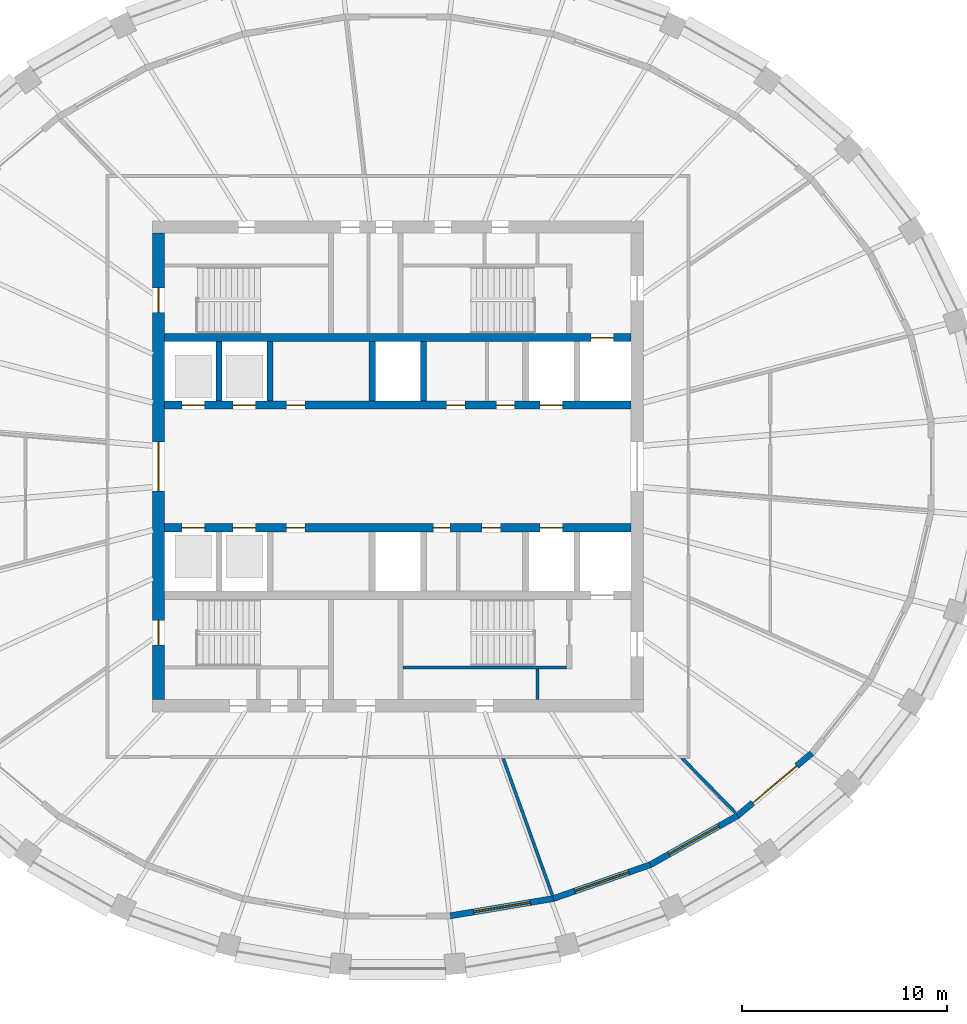
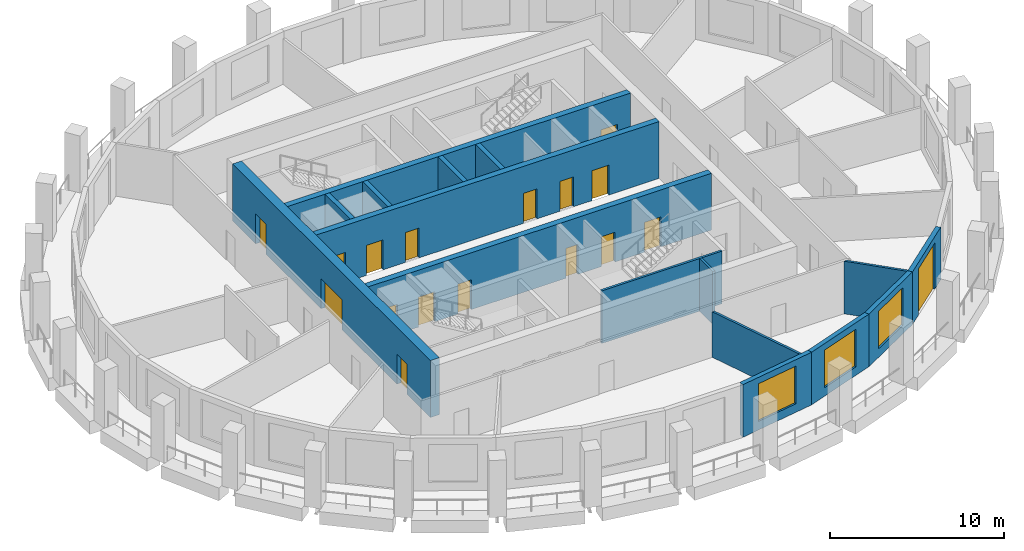
# One storey, part 4 of 10: 17 doors, 16 walls, 3 windows, 20 openings.
"""IFC4 building model written with IfcOpenShell, lengths in metres."""

from ifc_helpers import new_model, si_unit, direction, frame, frame_2d, origin, place, context, subcontext, project, spatial, polyline, rectangle, outline, extrude, material, layer, layer_set, type_object, element, fill, save


model = new_model("IFC4")

# Units and contexts
model_context = context("Model", 3, precision=1e-05, world=origin(), true_north=direction((0.0, 1.0)))
body_context = subcontext(model_context, "Body", "Model", "MODEL_VIEW")
ifc_project = project(units=[si_unit("LENGTHUNIT", "METRE"), si_unit("AREAUNIT", "SQUARE_METRE"), si_unit("VOLUMEUNIT", "CUBIC_METRE"), si_unit("PLANEANGLEUNIT", "RADIAN"), si_unit("MASSUNIT", "GRAM", prefix="KILO")], contexts=[model_context])

# Site, building, storey
site_placement = place(None, origin())
site = spatial("IfcSite", under=ifc_project, at=site_placement, CompositionType="ELEMENT")
building_placement = place(site_placement, origin())
building = spatial("IfcBuilding", under=site, at=building_placement, Name="Halqa Exchange Tower", CompositionType="ELEMENT")
storey_placement = place(building_placement, frame((0.0, 0.0, 312.300048828125)))
storey = spatial("IfcBuildingStorey", under=building, at=storey_placement, Name="L73", CompositionType="ELEMENT", Elevation=312.300048828125)

# Walls
ifc_material_1 = material(Name="Fire-rated gypsum board")
ifc_layer_1 = layer(ifc_material_1, 0.14990234375)
ifc_layer_set_1 = layer_set([ifc_layer_1], Name="Fire-rated gypsum board")
wall_type_1 = type_object("IfcWallType", Name="Fire partition EI 60 150", PredefinedType="PARTITIONING", material=ifc_layer_set_1)
wall_1_placement = place(storey_placement, frame((5.137939453125, -14.25, 0.0), z_axis=(0.0, 0.0, 1.0), x_axis=(0.338519975389, -0.940959205419, 0.0)))
element("IfcWall", 1, at=wall_1_placement, inside=storey, type_object=wall_type_1, Name="L73-PWL-011", PredefinedType="PARTITIONING", context=body_context, shape_type="SweptSolid", body=[
    extrude(outline(polyline([(0.0, -0.074951171875), (1.7841796875, -0.074951171875), (3.568359375, -0.074951171875), (5.3525390625, -0.074951171875), (7.13671875, -0.074951171875), (7.150390625, 0.001220703125), (7.150634765625, 0.01904296875), (7.150634765625, 0.074951171875), (5.37646484375, 0.074951171875), (3.60205078125, 0.074951171875), (1.827880859375, 0.074951171875), (0.053466796875, 0.074951171875), (0.0, -0.07373046875), (0.0, -0.074951171875)])), origin(), (0.0, 0.0, 1.0), 3.199951171875),
])
wall_2_placement = place(storey_placement, frame((13.8623046875, -14.222900390625, 0.0), z_axis=(0.0, 0.0, 1.0), x_axis=(0.698607487782, -0.715505120887, 0.0)))
element("IfcWall", 2, at=wall_2_placement, inside=storey, type_object=wall_type_1, Name="L73-PWL-012", PredefinedType="PARTITIONING", context=body_context, shape_type="SweptSolid", body=[
    extrude(outline(polyline([(3.785400390625, 0.074951171875), (1.9658203125, 0.074951171875), (0.14599609375, 0.074951171875), (0.0, -0.074462890625), (0.0, -0.074951171875), (1.892578125, -0.074951171875), (3.785400390625, -0.074951171875), (3.785400390625, 0.074951171875)])), origin(), (0.0, 0.0, 1.0), 3.699951171875),
])
ifc_material_2 = material(Name="Gypsum board")
ifc_layer_2 = layer(ifc_material_2, 0.14990234375)
ifc_layer_set_2 = layer_set([ifc_layer_2], Name="Gypsum board")
wall_type_2 = type_object("IfcWallType", Name="Penthouse riser wall 150 gypsum", PredefinedType="PARTITIONING", material=ifc_layer_set_2)
wall_3_placement = place(storey_placement, frame((6.824951171875, -11.39990234375, 0.0), z_axis=(0.0, 0.0, 1.0), x_axis=(0.0, 1.0, 0.0)))
element("IfcWall", 3, at=wall_3_placement, inside=storey, type_object=wall_type_2, Name="Firefighting lobby west wall S", PredefinedType="PARTITIONING", context=body_context, shape_type="SweptSolid", body=[
    extrude(rectangle(XDim=1.5, YDim=0.14990234375, at=frame_2d((0.75, 0.0))), origin(), (0.0, 0.0, 1.0), 3.699951171875),
])
ifc_material_3 = material(Name="Concrete C60/75", Category="concrete")
ifc_layer_3 = layer(ifc_material_3, 0.300048828125)
ifc_layer_set_3 = layer_set([ifc_layer_3], Name="Concrete C60/75")
wall_type_3 = type_object("IfcWallType", Name="RC core wall 300", PredefinedType="SHEAR", material=ifc_layer_set_3)
for number, where, z_axis, x_axis, name in (
    (4, (-8.75, 3.199951171875, 0.0), (0.0, 0.0, 1.0), (0.0, 1.0, 0.0), "Shaft divider N1"),
    (5, (-6.25, 3.199951171875, 0.0), (0.0, 0.0, 1.0), (0.0, 1.0, 0.0), "Shaft divider N2"),
    (6, (-1.25, 3.199951171875, 0.0), (0.0, 0.0, 1.0), (0.0, 1.0, 0.0), "Shaft divider N4"),
    (7, (1.25, 3.199951171875, 0.0), (0.0, 0.0, 1.0), (0.0, 1.0, 0.0), "Shaft divider N5"),
):
    element("IfcWall", number, at=place(storey_placement, frame(where, z_axis=z_axis, x_axis=x_axis)), inside=storey, type_object=wall_type_3, Name=name, PredefinedType="SHEAR", context=body_context, shape_type="SweptSolid", body=[
        extrude(rectangle(XDim=2.900146484375, YDim=0.300048828125, at=frame_2d((1.4501953125, 0.0))), origin(), (0.0, 0.0, 1.0), 4.0),
    ])

# Wall, openings, doors
ifc_layer_4 = layer(ifc_material_3, 0.39990234375)
ifc_layer_set_4 = layer_set([ifc_layer_4], Name="Concrete C60/75")
wall_type_4 = type_object("IfcWallType", Name="RC core wall 400 C60/75", PredefinedType="SHEAR", material=ifc_layer_set_4)
wall_4_placement = place(storey_placement, frame((-11.39990234375, 3.0, 0.0), z_axis=(0.0, 0.0, 1.0), x_axis=(1.0, 0.0, 0.0)))
wall_4 = element("IfcWall", 8, at=wall_4_placement, inside=storey, type_object=wall_type_4, Name="Lift row front wall N", PredefinedType="SHEAR", context=body_context, shape_type="SweptSolid", body=[
    extrude(rectangle(XDim=22.7998046875, YDim=0.39990234375, at=frame_2d((11.39990234375, 0.0))), origin(), (0.0, 0.0, 1.0), 4.0),
])
opening_1_placement = place(wall_4_placement, frame((0.85009765625, 0.0, 0.0)))
opening_1 = element("IfcOpeningElement", 9, at=opening_1_placement, cuts=wall_4, Name="Opening LD-HR1-T22", PredefinedType="OPENING", context=body_context, shape_type="SweptSolid", body=[
    extrude(rectangle(XDim=1.10009765625, YDim=2.10009765625, at=frame_2d((0.550048828125, 1.050048828125))), frame((0.0, 0.2119140625, 0.0), z_axis=(0.0, -1.0, 0.0), x_axis=(1.0, 0.0, 0.0)), (0.0, 0.0, 1.0), 0.423828125),
])
opening_2_placement = place(wall_4_placement, frame((3.35009765625, 0.0, 0.0)))
opening_2 = element("IfcOpeningElement", 10, at=opening_2_placement, cuts=wall_4, Name="Opening LD-HR2-T22", PredefinedType="OPENING", context=body_context, shape_type="SweptSolid", body=[
    extrude(rectangle(XDim=1.10009765625, YDim=2.10009765625, at=frame_2d((0.550048828125, 1.050048828125))), frame((0.0, 0.2119140625, 0.0), z_axis=(0.0, -1.0, 0.0), x_axis=(1.0, 0.0, 0.0)), (0.0, 0.0, 1.0), 0.423828125),
])
opening_3_placement = place(wall_4_placement, frame((18.35009765625, 0.0, 0.0)))
opening_3 = element("IfcOpeningElement", 11, at=opening_3_placement, cuts=wall_4, Name="Opening LD-SV1-T22", PredefinedType="OPENING", context=body_context, shape_type="SweptSolid", body=[
    extrude(rectangle(XDim=1.10009765625, YDim=2.10009765625, at=frame_2d((0.550048828125, 1.050048828125))), frame((0.0, 0.2119140625, 0.0), z_axis=(0.0, -1.0, 0.0), x_axis=(1.0, 0.0, 0.0)), (0.0, 0.0, 1.0), 0.423828125),
])
opening_4_placement = place(wall_4_placement, frame((13.78759765625, 0.0, 0.0)))
opening_4 = element("IfcOpeningElement", 12, at=opening_4_placement, cuts=wall_4, Name="Opening T22-C27", PredefinedType="OPENING", context=body_context, shape_type="SweptSolid", body=[
    extrude(rectangle(XDim=0.89990234375, YDim=2.10009765625, at=frame_2d((0.449951171875, 1.050048828125))), frame((0.0, 0.2119140625, 0.0), z_axis=(0.0, -1.0, 0.0), x_axis=(1.0, 0.0, 0.0)), (0.0, 0.0, 1.0), 0.423828125),
])
opening_5_placement = place(wall_4_placement, frame((16.21240234375, 0.0, 0.0)))
opening_5 = element("IfcOpeningElement", 13, at=opening_5_placement, cuts=wall_4, Name="Opening T22-C28", PredefinedType="OPENING", context=body_context, shape_type="SweptSolid", body=[
    extrude(rectangle(XDim=0.89990234375, YDim=2.10009765625, at=frame_2d((0.449951171875, 1.050048828125))), frame((0.0, 0.2119140625, 0.0), z_axis=(0.0, -1.0, 0.0), x_axis=(1.0, 0.0, 0.0)), (0.0, 0.0, 1.0), 0.423828125),
])
opening_6_placement = place(wall_4_placement, frame((5.949951171875, 0.0, 0.0)))
opening_6 = element("IfcOpeningElement", 14, at=opening_6_placement, cuts=wall_4, Name="Opening T22-C29", PredefinedType="OPENING", context=body_context, shape_type="SweptSolid", body=[
    extrude(rectangle(XDim=0.89990234375, YDim=2.10009765625, at=frame_2d((0.449951171875, 1.050048828125))), frame((0.0, 0.2119140625, 0.0), z_axis=(0.0, -1.0, 0.0), x_axis=(1.0, 0.0, 0.0)), (0.0, 0.0, 1.0), 0.423828125),
])
ifc_material_4 = material(Name="Timber fire door leaf", Category="wood")
door_type_1 = type_object("IfcDoorType", Name="Core room door FD30 900 x 2100", OperationType="SINGLE_SWING_LEFT", PredefinedType="DOOR", material=ifc_material_4)
door_1_placement = place(opening_4_placement, origin())
door_1 = element("IfcDoor", 15, at=door_1_placement, inside=storey, type_object=door_type_1, Name="Core room door", OperationType="SINGLE_SWING_RIGHT", OverallHeight=2.10009765625, OverallWidth=0.89990234375, PredefinedType="DOOR", context=body_context, shape_type="SweptSolid", body=[
    extrude(rectangle(XDim=0.89990234375, YDim=2.10009765625, at=frame_2d((0.449951171875, 1.050048828125))), frame((0.0, 0.02490234375, 0.0), z_axis=(0.0, -1.0, 0.0), x_axis=(1.0, 0.0, 0.0)), (0.0, 0.0, 1.0), 0.050048828125),
])
fill(opening_4, door_1)
door_2_placement = place(opening_5_placement, origin())
door_2 = element("IfcDoor", 16, at=door_2_placement, inside=storey, type_object=door_type_1, Name="Core room door", OperationType="SINGLE_SWING_LEFT", OverallHeight=2.10009765625, OverallWidth=0.89990234375, PredefinedType="DOOR", context=body_context, shape_type="SweptSolid", body=[
    extrude(rectangle(XDim=0.89990234375, YDim=2.10009765625, at=frame_2d((0.449951171875, 1.050048828125))), frame((0.0, 0.02490234375, 0.0), z_axis=(0.0, -1.0, 0.0), x_axis=(1.0, 0.0, 0.0)), (0.0, 0.0, 1.0), 0.050048828125),
])
fill(opening_5, door_2)
door_3_placement = place(opening_6_placement, origin())
door_3 = element("IfcDoor", 17, at=door_3_placement, inside=storey, type_object=door_type_1, Name="Core room door", OperationType="SINGLE_SWING_RIGHT", OverallHeight=2.10009765625, OverallWidth=0.89990234375, PredefinedType="DOOR", context=body_context, shape_type="SweptSolid", body=[
    extrude(rectangle(XDim=0.89990234375, YDim=2.10009765625, at=frame_2d((0.449951171875, 1.050048828125))), frame((0.0, 0.02490234375, 0.0), z_axis=(0.0, -1.0, 0.0), x_axis=(1.0, 0.0, 0.0)), (0.0, 0.0, 1.0), 0.050048828125),
])
fill(opening_6, door_3)
ifc_material_5 = material(Name="Stainless steel", Category="steel")
door_type_2 = type_object("IfcDoorType", Name="Lift landing door 1100 x 2100", OperationType="SLIDING_TO_LEFT", PredefinedType="DOOR", material=ifc_material_5)
door_4_placement = place(opening_1_placement, origin())
door_4 = element("IfcDoor", 18, at=door_4_placement, inside=storey, type_object=door_type_2, Name="Lift landing door HR1", OperationType="SLIDING_TO_LEFT", OverallHeight=2.10009765625, OverallWidth=1.10009765625, PredefinedType="DOOR", context=body_context, shape_type="SweptSolid", body=[
    extrude(rectangle(XDim=1.10009765625, YDim=2.10009765625, at=frame_2d((0.550048828125, 1.050048828125))), frame((0.0, 0.02490234375, 0.0), z_axis=(0.0, -1.0, 0.0), x_axis=(1.0, 0.0, 0.0)), (0.0, 0.0, 1.0), 0.050048828125),
])
fill(opening_1, door_4)
door_5_placement = place(opening_2_placement, origin())
door_5 = element("IfcDoor", 19, at=door_5_placement, inside=storey, type_object=door_type_2, Name="Lift landing door HR2", OperationType="SLIDING_TO_LEFT", OverallHeight=2.10009765625, OverallWidth=1.10009765625, PredefinedType="DOOR", context=body_context, shape_type="SweptSolid", body=[
    extrude(rectangle(XDim=1.10009765625, YDim=2.10009765625, at=frame_2d((0.550048828125, 1.050048828125))), frame((0.0, 0.02490234375, 0.0), z_axis=(0.0, -1.0, 0.0), x_axis=(1.0, 0.0, 0.0)), (0.0, 0.0, 1.0), 0.050048828125),
])
fill(opening_2, door_5)
door_6_placement = place(opening_3_placement, origin())
door_6 = element("IfcDoor", 20, at=door_6_placement, inside=storey, type_object=door_type_2, Name="Lift landing door SV1", OperationType="SLIDING_TO_LEFT", OverallHeight=2.10009765625, OverallWidth=1.10009765625, PredefinedType="DOOR", context=body_context, shape_type="SweptSolid", body=[
    extrude(rectangle(XDim=1.10009765625, YDim=2.10009765625, at=frame_2d((0.550048828125, 1.050048828125))), frame((0.0, 0.02490234375, 0.0), z_axis=(0.0, -1.0, 0.0), x_axis=(1.0, 0.0, 0.0)), (0.0, 0.0, 1.0), 0.050048828125),
])
fill(opening_3, door_6)

# Wall, opening, door
wall_5_placement = place(storey_placement, frame((-11.39990234375, 6.300048828125, 0.0), z_axis=(0.0, 0.0, 1.0), x_axis=(1.0, 0.0, 0.0)))
wall_5 = element("IfcWall", 21, at=wall_5_placement, inside=storey, type_object=wall_type_4, Name="Lift row back wall N", PredefinedType="SHEAR", context=body_context, shape_type="SweptSolid", body=[
    extrude(rectangle(XDim=22.7998046875, YDim=0.39990234375, at=frame_2d((11.39990234375, 0.0))), origin(), (0.0, 0.0, 1.0), 4.0),
])
opening_7_placement = place(wall_5_placement, frame((20.85009765625, 0.0, 0.0)))
opening_7 = element("IfcOpeningElement", 22, at=opening_7_placement, cuts=wall_5, Name="Opening LD-FF1-T22", PredefinedType="OPENING", context=body_context, shape_type="SweptSolid", body=[
    extrude(rectangle(XDim=1.10009765625, YDim=2.10009765625, at=frame_2d((0.550048828125, 1.050048828125))), frame((0.0, 0.2119140625, 0.0), z_axis=(0.0, -1.0, 0.0), x_axis=(1.0, 0.0, 0.0)), (0.0, 0.0, 1.0), 0.423828125),
])
door_7_placement = place(opening_7_placement, origin())
door_7 = element("IfcDoor", 23, at=door_7_placement, inside=storey, type_object=door_type_2, Name="Lift landing door FF1", OperationType="SLIDING_TO_LEFT", OverallHeight=2.10009765625, OverallWidth=1.10009765625, PredefinedType="DOOR", context=body_context, shape_type="SweptSolid", body=[
    extrude(rectangle(XDim=1.10009765625, YDim=2.10009765625, at=frame_2d((0.550048828125, 1.050048828125))), frame((0.0, 0.02490234375, 0.0), z_axis=(0.0, -1.0, 0.0), x_axis=(1.0, 0.0, 0.0)), (0.0, 0.0, 1.0), 0.050048828125),
])
fill(opening_7, door_7)

# Wall, openings, doors
wall_6_placement = place(storey_placement, frame((-11.39990234375, -3.0, 0.0), z_axis=(0.0, 0.0, 1.0), x_axis=(1.0, 0.0, 0.0)))
wall_6 = element("IfcWall", 24, at=wall_6_placement, inside=storey, type_object=wall_type_4, Name="Lift row front wall S", PredefinedType="SHEAR", context=body_context, shape_type="SweptSolid", body=[
    extrude(rectangle(XDim=22.7998046875, YDim=0.39990234375, at=frame_2d((11.39990234375, 0.0))), origin(), (0.0, 0.0, 1.0), 4.0),
])
opening_8_placement = place(wall_6_placement, frame((0.85009765625, 0.0, 0.0)))
opening_8 = element("IfcOpeningElement", 25, at=opening_8_placement, cuts=wall_6, Name="Opening LD-HR3-T22", PredefinedType="OPENING", context=body_context, shape_type="SweptSolid", body=[
    extrude(rectangle(XDim=1.10009765625, YDim=2.10009765625, at=frame_2d((0.550048828125, 1.050048828125))), frame((0.0, 0.2119140625, 0.0), z_axis=(0.0, -1.0, 0.0), x_axis=(1.0, 0.0, 0.0)), (0.0, 0.0, 1.0), 0.423828125),
])
opening_9_placement = place(wall_6_placement, frame((3.35009765625, 0.0, 0.0)))
opening_9 = element("IfcOpeningElement", 26, at=opening_9_placement, cuts=wall_6, Name="Opening LD-HR4-T22", PredefinedType="OPENING", context=body_context, shape_type="SweptSolid", body=[
    extrude(rectangle(XDim=1.10009765625, YDim=2.10009765625, at=frame_2d((0.550048828125, 1.050048828125))), frame((0.0, 0.2119140625, 0.0), z_axis=(0.0, -1.0, 0.0), x_axis=(1.0, 0.0, 0.0)), (0.0, 0.0, 1.0), 0.423828125),
])
opening_10_placement = place(wall_6_placement, frame((18.35009765625, 0.0, 0.0)))
opening_10 = element("IfcOpeningElement", 27, at=opening_10_placement, cuts=wall_6, Name="Opening LD-SV2-T22", PredefinedType="OPENING", context=body_context, shape_type="SweptSolid", body=[
    extrude(rectangle(XDim=1.10009765625, YDim=2.10009765625, at=frame_2d((0.550048828125, 1.050048828125))), frame((0.0, 0.2119140625, 0.0), z_axis=(0.0, -1.0, 0.0), x_axis=(1.0, 0.0, 0.0)), (0.0, 0.0, 1.0), 0.423828125),
])
opening_11_placement = place(wall_6_placement, frame((13.137451171875, 0.0, 0.0)))
opening_11 = element("IfcOpeningElement", 28, at=opening_11_placement, cuts=wall_6, Name="Opening T22-C30", PredefinedType="OPENING", context=body_context, shape_type="SweptSolid", body=[
    extrude(rectangle(XDim=0.800048828125, YDim=2.10009765625, at=frame_2d((0.39990234375, 1.050048828125))), frame((0.0, 0.2119140625, 0.0), z_axis=(0.0, -1.0, 0.0), x_axis=(1.0, 0.0, 0.0)), (0.0, 0.0, 1.0), 0.423828125),
])
opening_12_placement = place(wall_6_placement, frame((15.512451171875, 0.0, 0.0)))
opening_12 = element("IfcOpeningElement", 29, at=opening_12_placement, cuts=wall_6, Name="Opening T22-C31", PredefinedType="OPENING", context=body_context, shape_type="SweptSolid", body=[
    extrude(rectangle(XDim=0.89990234375, YDim=2.10009765625, at=frame_2d((0.449951171875, 1.050048828125))), frame((0.0, 0.2119140625, 0.0), z_axis=(0.0, -1.0, 0.0), x_axis=(1.0, 0.0, 0.0)), (0.0, 0.0, 1.0), 0.423828125),
])
opening_13_placement = place(wall_6_placement, frame((5.949951171875, 0.0, 0.0)))
opening_13 = element("IfcOpeningElement", 30, at=opening_13_placement, cuts=wall_6, Name="Opening T22-C32", PredefinedType="OPENING", context=body_context, shape_type="SweptSolid", body=[
    extrude(rectangle(XDim=0.89990234375, YDim=2.10009765625, at=frame_2d((0.449951171875, 1.050048828125))), frame((0.0, 0.2119140625, 0.0), z_axis=(0.0, -1.0, 0.0), x_axis=(1.0, 0.0, 0.0)), (0.0, 0.0, 1.0), 0.423828125),
])
door_8_placement = place(opening_12_placement, frame((0.89990234375, 0.0, 0.0), z_axis=(0.0, 0.0, 1.0), x_axis=(-1.0, 0.0, 0.0)))
door_8 = element("IfcDoor", 31, at=door_8_placement, inside=storey, type_object=door_type_1, Name="Core room door", OperationType="SINGLE_SWING_LEFT", OverallHeight=2.10009765625, OverallWidth=0.89990234375, PredefinedType="DOOR", context=body_context, shape_type="SweptSolid", body=[
    extrude(rectangle(XDim=0.89990234375, YDim=2.10009765625, at=frame_2d((0.449951171875, 1.050048828125))), frame((0.0, 0.02490234375, 0.0), z_axis=(0.0, -1.0, 0.0), x_axis=(1.0, 0.0, 0.0)), (0.0, 0.0, 1.0), 0.050048828125),
])
fill(opening_12, door_8)
door_9_placement = place(opening_13_placement, frame((0.89990234375, 0.0, 0.0), z_axis=(0.0, 0.0, 1.0), x_axis=(-1.0, 0.0, 0.0)))
door_9 = element("IfcDoor", 32, at=door_9_placement, inside=storey, type_object=door_type_1, Name="Core room door", OperationType="SINGLE_SWING_LEFT", OverallHeight=2.10009765625, OverallWidth=0.89990234375, PredefinedType="DOOR", context=body_context, shape_type="SweptSolid", body=[
    extrude(rectangle(XDim=0.89990234375, YDim=2.10009765625, at=frame_2d((0.449951171875, 1.050048828125))), frame((0.0, 0.02490234375, 0.0), z_axis=(0.0, -1.0, 0.0), x_axis=(1.0, 0.0, 0.0)), (0.0, 0.0, 1.0), 0.050048828125),
])
fill(opening_13, door_9)
door_10_placement = place(opening_8_placement, origin())
door_10 = element("IfcDoor", 33, at=door_10_placement, inside=storey, type_object=door_type_2, Name="Lift landing door HR3", OperationType="SLIDING_TO_LEFT", OverallHeight=2.10009765625, OverallWidth=1.10009765625, PredefinedType="DOOR", context=body_context, shape_type="SweptSolid", body=[
    extrude(rectangle(XDim=1.10009765625, YDim=2.10009765625, at=frame_2d((0.550048828125, 1.050048828125))), frame((0.0, 0.02490234375, 0.0), z_axis=(0.0, -1.0, 0.0), x_axis=(1.0, 0.0, 0.0)), (0.0, 0.0, 1.0), 0.050048828125),
])
fill(opening_8, door_10)
door_11_placement = place(opening_9_placement, origin())
door_11 = element("IfcDoor", 34, at=door_11_placement, inside=storey, type_object=door_type_2, Name="Lift landing door HR4", OperationType="SLIDING_TO_LEFT", OverallHeight=2.10009765625, OverallWidth=1.10009765625, PredefinedType="DOOR", context=body_context, shape_type="SweptSolid", body=[
    extrude(rectangle(XDim=1.10009765625, YDim=2.10009765625, at=frame_2d((0.550048828125, 1.050048828125))), frame((0.0, 0.02490234375, 0.0), z_axis=(0.0, -1.0, 0.0), x_axis=(1.0, 0.0, 0.0)), (0.0, 0.0, 1.0), 0.050048828125),
])
fill(opening_9, door_11)
door_12_placement = place(opening_10_placement, origin())
door_12 = element("IfcDoor", 35, at=door_12_placement, inside=storey, type_object=door_type_2, Name="Lift landing door SV2", OperationType="SLIDING_TO_LEFT", OverallHeight=2.10009765625, OverallWidth=1.10009765625, PredefinedType="DOOR", context=body_context, shape_type="SweptSolid", body=[
    extrude(rectangle(XDim=1.10009765625, YDim=2.10009765625, at=frame_2d((0.550048828125, 1.050048828125))), frame((0.0, 0.02490234375, 0.0), z_axis=(0.0, -1.0, 0.0), x_axis=(1.0, 0.0, 0.0)), (0.0, 0.0, 1.0), 0.050048828125),
])
fill(opening_10, door_12)
ifc_material_6 = material(Name="Steel fire door leaf", Category="steel")
door_type_3 = type_object("IfcDoorType", Name="Riser door FD60 800 x 2100", OperationType="SINGLE_SWING_LEFT", PredefinedType="DOOR", material=ifc_material_6)
door_13_placement = place(opening_11_placement, frame((0.800048828125, 0.0, 0.0), z_axis=(0.0, 0.0, 1.0), x_axis=(-1.0, 0.0, 0.0)))
door_13 = element("IfcDoor", 36, at=door_13_placement, inside=storey, type_object=door_type_3, Name="Core room door", OperationType="SINGLE_SWING_LEFT", OverallHeight=2.10009765625, OverallWidth=0.800048828125, PredefinedType="DOOR", context=body_context, shape_type="SweptSolid", body=[
    extrude(rectangle(XDim=0.800048828125, YDim=2.10009765625, at=frame_2d((0.39990234375, 1.050048828125))), frame((0.0, 0.02490234375, 0.0), z_axis=(0.0, -1.0, 0.0), x_axis=(1.0, 0.0, 0.0)), (0.0, 0.0, 1.0), 0.050048828125),
])
fill(opening_11, door_13)

ifc_layer_5 = layer(ifc_material_3, 0.60009765625)
ifc_layer_set_5 = layer_set([ifc_layer_5], Name="Concrete C60/75")
wall_type_5 = type_object("IfcWallType", Name="RC core wall 600 C60/75", PredefinedType="SHEAR", material=ifc_layer_set_5)
wall_7_placement = place(storey_placement, frame((-11.699951171875, -11.39990234375, 0.0), z_axis=(0.0, 0.0, 1.0), x_axis=(0.0, 1.0, 0.0)))
wall_7 = element("IfcWall", 37, at=wall_7_placement, inside=storey, type_object=wall_type_5, Name="Core wall west", PredefinedType="SHEAR", context=body_context, shape_type="SweptSolid", body=[
    extrude(rectangle(XDim=22.7998046875, YDim=0.60009765625, at=frame_2d((11.39990234375, 0.0))), origin(), (0.0, 0.0, 1.0), 4.0),
])
opening_14_placement = place(wall_7_placement, frame((10.199951171875, 0.0, 0.0)))
opening_14 = element("IfcOpeningElement", 38, at=opening_14_placement, cuts=wall_7, Name="Opening T22-C09", PredefinedType="OPENING", context=body_context, shape_type="SweptSolid", body=[
    extrude(rectangle(XDim=2.39990234375, YDim=2.10009765625, at=frame_2d((1.199951171875, 1.050048828125))), frame((0.0, 0.31201171875, 0.0), z_axis=(0.0, -1.0, 0.0), x_axis=(1.0, 0.0, 0.0)), (0.0, 0.0, 1.0), 0.6240234375),
])
opening_15_placement = place(wall_7_placement, frame((18.925048828125, 0.0, 0.0)))
opening_15 = element("IfcOpeningElement", 39, at=opening_15_placement, cuts=wall_7, Name="Opening T22-C11", PredefinedType="OPENING", context=body_context, shape_type="SweptSolid", body=[
    extrude(rectangle(XDim=1.199951171875, YDim=2.10009765625, at=frame_2d((0.60009765625, 1.050048828125))), frame((0.0, 0.31201171875, 0.0), z_axis=(0.0, -1.0, 0.0), x_axis=(1.0, 0.0, 0.0)), (0.0, 0.0, 1.0), 0.6240234375),
])
opening_16_placement = place(wall_7_placement, frame((2.675048828125, 0.0, 0.0)))
opening_16 = element("IfcOpeningElement", 40, at=opening_16_placement, cuts=wall_7, Name="Opening T22-C13", PredefinedType="OPENING", context=body_context, shape_type="SweptSolid", body=[
    extrude(rectangle(XDim=1.199951171875, YDim=2.10009765625, at=frame_2d((0.60009765625, 1.050048828125))), frame((0.0, 0.31201171875, 0.0), z_axis=(0.0, -1.0, 0.0), x_axis=(1.0, 0.0, 0.0)), (0.0, 0.0, 1.0), 0.6240234375),
])
door_type_4 = type_object("IfcDoorType", Name="Lobby double door FD60 2400 x 2100", OperationType="DOUBLE_DOOR_SINGLE_SWING", PredefinedType="DOOR", material=ifc_material_6)
door_14_placement = place(opening_14_placement, frame((2.39990234375, 0.0, 0.0), z_axis=(0.0, 0.0, 1.0), x_axis=(-1.0, 0.0, 0.0)))
door_14 = element("IfcDoor", 41, at=door_14_placement, inside=storey, type_object=door_type_4, Name="Lift lobby double door", OperationType="DOUBLE_DOOR_SINGLE_SWING", OverallHeight=2.10009765625, OverallWidth=2.39990234375, PredefinedType="DOOR", context=body_context, shape_type="SweptSolid", body=[
    extrude(rectangle(XDim=2.39990234375, YDim=2.10009765625, at=frame_2d((1.199951171875, 1.050048828125))), frame((0.0, 0.02490234375, 0.0), z_axis=(0.0, -1.0, 0.0), x_axis=(1.0, 0.0, 0.0)), (0.0, 0.0, 1.0), 0.050048828125),
])
fill(opening_14, door_14)
door_type_5 = type_object("IfcDoorType", Name="Stair door FD90 1200 x 2100", OperationType="SINGLE_SWING_LEFT", PredefinedType="DOOR", material=ifc_material_6)
door_15_placement = place(opening_15_placement, frame((1.199951171875, 0.0, 0.0), z_axis=(0.0, 0.0, 1.0), x_axis=(-1.0, 0.0, 0.0)))
door_15 = element("IfcDoor", 42, at=door_15_placement, inside=storey, type_object=door_type_5, Name="Stair door ST1", OperationType="SINGLE_SWING_LEFT", OverallHeight=2.10009765625, OverallWidth=1.199951171875, PredefinedType="DOOR", context=body_context, shape_type="SweptSolid", body=[
    extrude(rectangle(XDim=1.199951171875, YDim=2.10009765625, at=frame_2d((0.60009765625, 1.050048828125))), frame((0.0, 0.02490234375, 0.0), z_axis=(0.0, -1.0, 0.0), x_axis=(1.0, 0.0, 0.0)), (0.0, 0.0, 1.0), 0.050048828125),
])
fill(opening_15, door_15)
door_16_placement = place(opening_16_placement, frame((1.199951171875, 0.0, 0.0), z_axis=(0.0, 0.0, 1.0), x_axis=(-1.0, 0.0, 0.0)))
door_16 = element("IfcDoor", 43, at=door_16_placement, inside=storey, type_object=door_type_5, Name="Stair door ST3", OperationType="SINGLE_SWING_LEFT", OverallHeight=2.10009765625, OverallWidth=1.199951171875, PredefinedType="DOOR", context=body_context, shape_type="SweptSolid", body=[
    extrude(rectangle(XDim=1.199951171875, YDim=2.10009765625, at=frame_2d((0.60009765625, 1.050048828125))), frame((0.0, 0.02490234375, 0.0), z_axis=(0.0, -1.0, 0.0), x_axis=(1.0, 0.0, 0.0)), (0.0, 0.0, 1.0), 0.050048828125),
])
fill(opening_16, door_16)

# Wall
ifc_material_7 = material(Name="Concrete C30/37", Category="concrete")
ifc_layer_6 = layer(ifc_material_7, 0.14990234375)
ifc_layer_set_6 = layer_set([ifc_layer_6], Name="Concrete C30/37")
wall_type_6 = type_object("IfcWallType", Name="RC stair wall 150 C30/37", PredefinedType="SHEAR", material=ifc_layer_set_6)
wall_8_placement = place(storey_placement, frame((0.25, -9.824951171875, 0.0), z_axis=(0.0, 0.0, 1.0), x_axis=(1.0, 0.0, 0.0)))
element("IfcWall", 44, at=wall_8_placement, inside=storey, type_object=wall_type_6, Name="Stair ST2 north wall S", PredefinedType="SHEAR", context=body_context, shape_type="SweptSolid", body=[
    extrude(rectangle(XDim=8.0, YDim=0.14990234375, at=frame_2d((4.0, 0.0))), origin(), (0.0, 0.0, 1.0), 3.699951171875),
])

# Wall, opening, window
ifc_material_8 = material(Name="Limestone cladding", Category="masonry")
ifc_layer_7 = layer(ifc_material_8, 0.0400390625)
ifc_material_9 = material(Name="Ventilated cavity")
ifc_layer_8 = layer(ifc_material_9, 0.030029296875, ventilated=True)
ifc_material_10 = material(Name="Mineral wool insulation")
ifc_layer_9 = layer(ifc_material_10, 0.10009765625)
ifc_layer_10 = layer(ifc_material_7, 0.10009765625)
ifc_material_11 = material(Name="Internal plaster")
ifc_layer_11 = layer(ifc_material_11, 0.030029296875)
ifc_layer_set_7 = layer_set([ifc_layer_7, ifc_layer_8, ifc_layer_9, ifc_layer_10, ifc_layer_11], Name="Stone-faced insulated wall 300")
wall_type_7 = type_object("IfcWallType", Name="Stone-faced insulated wall 300", PredefinedType="STANDARD", material=ifc_layer_set_7)
wall_9_placement = place(storey_placement, frame((2.565185546875, -21.96630859375, 0.0), z_axis=(0.0, 0.0, 1.0), x_axis=(0.986269480969, 0.165143909695, 0.0)))
wall_9 = element("IfcWall", 45, at=wall_9_placement, inside=storey, type_object=wall_type_7, Name="Glass-line wall 25", PredefinedType="STANDARD", context=body_context, shape_type="SweptSolid", body=[
    extrude(outline(polyline([(-0.012451171875, -0.14990234375), (5.114501953125, -0.14990234375), (5.089111328125, 0.14990234375), (0.012451171875, 0.14990234375), (-0.012451171875, -0.14990234375)])), origin(), (0.0, 0.0, 1.0), 3.699951171875),
])
opening_17_placement = place(wall_9_placement, frame((1.15087890625, 0.0, 0.60009765625)))
opening_17 = element("IfcOpeningElement", 46, at=opening_17_placement, cuts=wall_9, Name="Opening W-F4-25", PredefinedType="OPENING", context=body_context, shape_type="SweptSolid", body=[
    extrude(rectangle(XDim=2.800048828125, YDim=2.64990234375, at=frame_2d((1.39990234375, 1.324951171875))), frame((0.0, 0.162109375, 0.0), z_axis=(0.0, -1.0, 0.0), x_axis=(1.0, 0.0, 0.0)), (0.0, 0.0, 1.0), 0.323974609375),
])
ifc_material_12 = material(Name="Clear low-emissivity glass in aluminium frame", Category="aluminium")
window_type = type_object("IfcWindowType", Name="Fixed clear glazed window 2800 x 2650", PartitioningType="DOUBLE_PANEL_VERTICAL", PredefinedType="WINDOW", material=ifc_material_12)
window_1_placement = place(opening_17_placement, origin())
window_1 = element("IfcWindow", 47, at=window_1_placement, inside=storey, type_object=window_type, Name="Window 4", OverallHeight=2.64990234375, OverallWidth=2.800048828125, PartitioningType="DOUBLE_PANEL_VERTICAL", PredefinedType="WINDOW", context=body_context, shape_type="SweptSolid", body=[
    extrude(rectangle(XDim=2.800048828125, YDim=2.64990234375, at=frame_2d((1.39990234375, 1.324951171875))), frame((0.0, 0.030029296875, 0.0), z_axis=(0.0, -1.0, 0.0), x_axis=(1.0, 0.0, 0.0)), (0.0, 0.0, 1.0), 0.06005859375),
])
fill(opening_17, window_1)

wall_10_placement = place(storey_placement, frame((7.596923828125, -21.123779296875, 0.0), z_axis=(0.0, 0.0, 1.0), x_axis=(0.944251863618, 0.329223963365, 0.0)))
wall_10 = element("IfcWall", 48, at=wall_10_placement, inside=storey, type_object=wall_type_7, Name="Glass-line wall 26", PredefinedType="STANDARD", context=body_context, shape_type="SweptSolid", body=[
    extrude(outline(polyline([(-0.0126953125, -0.14990234375), (5.034423828125, -0.14990234375), (5.008056640625, 0.14990234375), (0.0126953125, 0.14990234375), (-0.0126953125, -0.14990234375)])), origin(), (0.0, 0.0, 1.0), 3.699951171875),
])
opening_18_placement = place(wall_10_placement, frame((1.110595703125, 0.0, 0.60009765625)))
opening_18 = element("IfcOpeningElement", 49, at=opening_18_placement, cuts=wall_10, Name="Opening W-F4-26", PredefinedType="OPENING", context=body_context, shape_type="SweptSolid", body=[
    extrude(rectangle(XDim=2.800048828125, YDim=2.64990234375, at=frame_2d((1.39990234375, 1.324951171875))), frame((0.0, 0.162109375, 0.0), z_axis=(0.0, -1.0, 0.0), x_axis=(1.0, 0.0, 0.0)), (0.0, 0.0, 1.0), 0.323974609375),
])
window_2_placement = place(opening_18_placement, origin())
window_2 = element("IfcWindow", 50, at=window_2_placement, inside=storey, type_object=window_type, Name="Window 4", OverallHeight=2.64990234375, OverallWidth=2.800048828125, PartitioningType="DOUBLE_PANEL_VERTICAL", PredefinedType="WINDOW", context=body_context, shape_type="SweptSolid", body=[
    extrude(rectangle(XDim=2.800048828125, YDim=2.64990234375, at=frame_2d((1.39990234375, 1.324951171875))), frame((0.0, 0.030029296875, 0.0), z_axis=(0.0, -1.0, 0.0), x_axis=(1.0, 0.0, 0.0)), (0.0, 0.0, 1.0), 0.06005859375),
])
fill(opening_18, window_2)

wall_11_placement = place(storey_placement, frame((12.338134765625, -19.470703125, 0.0), z_axis=(0.0, 0.0, 1.0), x_axis=(0.871570211895, 0.490270706588, 0.0)))
wall_11 = element("IfcWall", 51, at=wall_11_placement, inside=storey, type_object=wall_type_7, Name="Glass-line wall 27", PredefinedType="STANDARD", context=body_context, shape_type="SweptSolid", body=[
    extrude(outline(polyline([(-0.01318359375, -0.14990234375), (4.91162109375, -0.14990234375), (4.88330078125, 0.14990234375), (0.01318359375, 0.14990234375), (-0.01318359375, -0.14990234375)])), origin(), (0.0, 0.0, 1.0), 3.699951171875),
])
opening_19_placement = place(wall_11_placement, frame((1.048828125, 0.0, 0.60009765625)))
opening_19 = element("IfcOpeningElement", 52, at=opening_19_placement, cuts=wall_11, Name="Opening W-F4-27", PredefinedType="OPENING", context=body_context, shape_type="SweptSolid", body=[
    extrude(rectangle(XDim=2.800048828125, YDim=2.64990234375, at=frame_2d((1.39990234375, 1.324951171875))), frame((0.0, 0.162109375, 0.0), z_axis=(0.0, -1.0, 0.0), x_axis=(1.0, 0.0, 0.0)), (0.0, 0.0, 1.0), 0.323974609375),
])
window_3_placement = place(opening_19_placement, origin())
window_3 = element("IfcWindow", 53, at=window_3_placement, inside=storey, type_object=window_type, Name="Window 4", OverallHeight=2.64990234375, OverallWidth=2.800048828125, PartitioningType="DOUBLE_PANEL_VERTICAL", PredefinedType="WINDOW", context=body_context, shape_type="SweptSolid", body=[
    extrude(rectangle(XDim=2.800048828125, YDim=2.64990234375, at=frame_2d((1.39990234375, 1.324951171875))), frame((0.0, 0.030029296875, 0.0), z_axis=(0.0, -1.0, 0.0), x_axis=(1.0, 0.0, 0.0)), (0.0, 0.0, 1.0), 0.06005859375),
])
fill(opening_19, window_3)

# Wall, opening, door
wall_12_placement = place(storey_placement, frame((16.606689453125, -17.069580078125, 0.0), z_axis=(0.0, 0.0, 1.0), x_axis=(0.765059193792, 0.643959959931, 0.0)))
wall_12 = element("IfcWall", 54, at=wall_12_placement, inside=storey, type_object=wall_type_7, Name="Glass-line wall 28", PredefinedType="STANDARD", context=body_context, shape_type="SweptSolid", body=[
    extrude(outline(polyline([(-0.01416015625, -0.14990234375), (4.762939453125, -0.14990234375), (4.732666015625, 0.14990234375), (0.01416015625, 0.14990234375), (-0.01416015625, -0.14990234375)])), origin(), (0.0, 0.0, 1.0), 3.699951171875),
])
opening_20_placement = place(wall_12_placement, frame((0.973876953125, 0.0, 0.0)))
opening_20 = element("IfcOpeningElement", 55, at=opening_20_placement, cuts=wall_12, Name="Opening LG-F4-07", PredefinedType="OPENING", context=body_context, shape_type="SweptSolid", body=[
    extrude(rectangle(XDim=2.800048828125, YDim=3.25, at=frame_2d((1.39990234375, 1.625))), frame((0.0, 0.162109375, 0.0), z_axis=(0.0, -1.0, 0.0), x_axis=(1.0, 0.0, 0.0)), (0.0, 0.0, 1.0), 0.323974609375),
])
door_type_6 = type_object("IfcDoorType", Name="Glazed sliding loggia door 2800 x 3250", OperationType="DOUBLE_DOOR_SLIDING", PredefinedType="DOOR", material=ifc_material_12)
door_17_placement = place(opening_20_placement, origin())
door_17 = element("IfcDoor", 56, at=door_17_placement, inside=storey, type_object=door_type_6, Name="Loggia door 7", OperationType="DOUBLE_DOOR_SLIDING", OverallHeight=3.25, OverallWidth=2.800048828125, PredefinedType="DOOR", context=body_context, shape_type="SweptSolid", body=[
    extrude(rectangle(XDim=2.800048828125, YDim=3.25, at=frame_2d((1.39990234375, 1.625))), frame((0.0, 0.02490234375, 0.0), z_axis=(0.0, -1.0, 0.0), x_axis=(1.0, 0.0, 0.0)), (0.0, 0.0, 1.0), 0.050048828125),
])
fill(opening_20, door_17)

save(model, "model.ifc")
